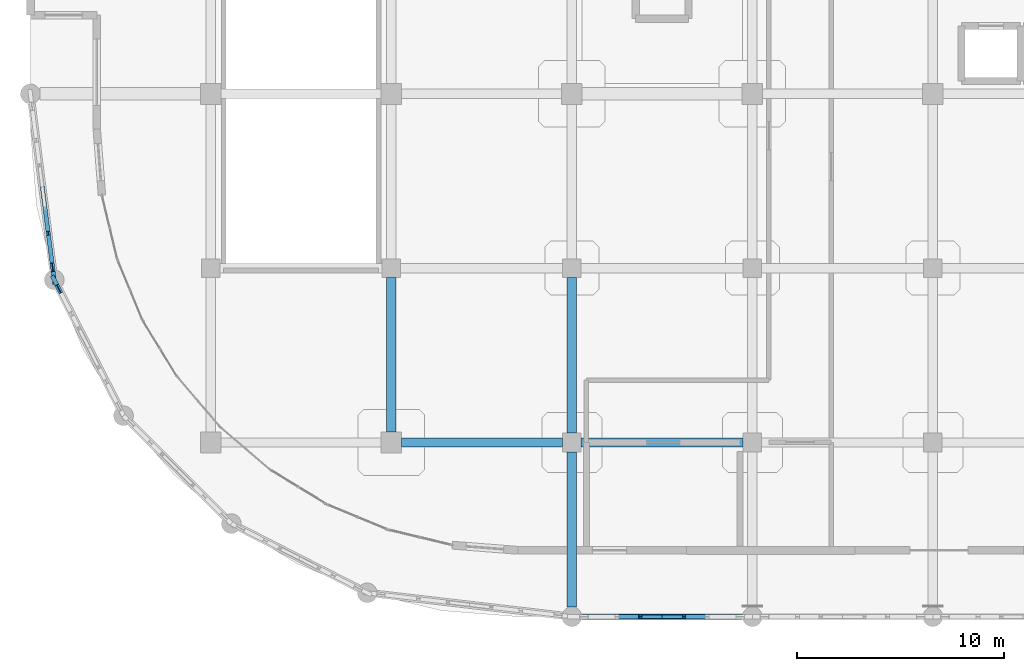
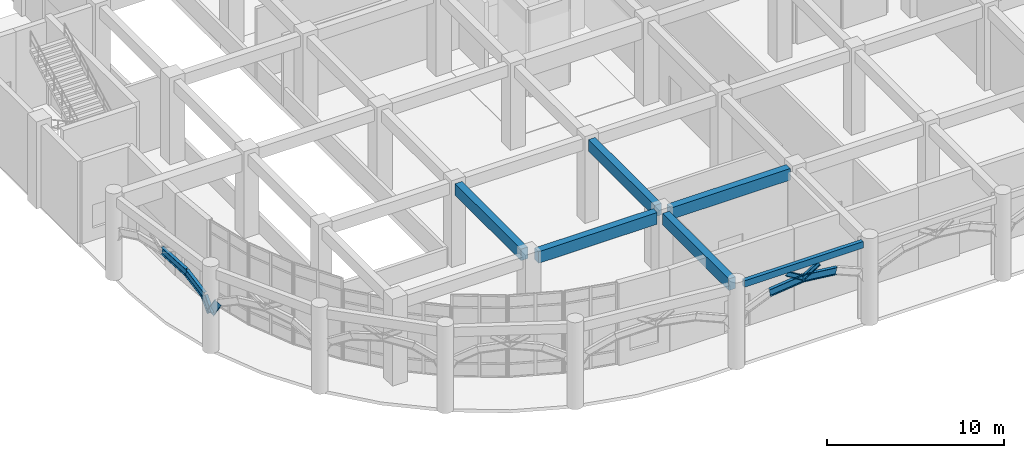
# One storey, part 6 of 82: 12 beams, 2 members.
"""IFC4 building model written with IfcOpenShell, lengths in metres."""

from ifc_helpers import new_model, si_unit, derived_unit, direction, frame, origin, origin_2d, place, context, subcontext, project, spatial, rectangle, i_section, extrude, material, material_profile, profile_set, type_object, element, save


model = new_model("IFC4")

# Units and contexts
model_context = context("Model", 3, precision=1e-05, world=origin(), true_north=direction((0.0, 1.0)))
body_context = subcontext(model_context, "Body", "Model", "MODEL_VIEW")
ifc_project = project(units=[si_unit("LENGTHUNIT", "METRE"), si_unit("AREAUNIT", "SQUARE_METRE"), si_unit("VOLUMEUNIT", "CUBIC_METRE"), si_unit("PLANEANGLEUNIT", "RADIAN"), si_unit("MASSUNIT", "GRAM", prefix="KILO"), derived_unit("THERMALTRANSMITTANCEUNIT", [(si_unit("MASSUNIT", "GRAM", prefix="KILO"), 1), (si_unit("TIMEUNIT", "SECOND"), -3), (si_unit("THERMODYNAMICTEMPERATUREUNIT", "KELVIN"), -1)])], contexts=[model_context])

# Site, building, storey
site_placement = place(None, origin())
site = spatial("IfcSite", under=ifc_project, at=site_placement, CompositionType="ELEMENT")
building_placement = place(site_placement, origin())
building = spatial("IfcBuilding", under=site, at=building_placement, Name="Qinzheling Arcade Emporium", CompositionType="ELEMENT")
storey_placement = place(building_placement, origin())
storey = spatial("IfcBuildingStorey", under=building, at=storey_placement, Name="L01", CompositionType="ELEMENT", Elevation=0.0)

# Beams
ifc_material_1 = material(Name="Weathering steel Q355NH", Category="steel")
ifc_material_profile_1 = material_profile(ifc_material_1, i_section(OverallWidth=0.199951171875, OverallDepth=0.5, WebThickness=0.010009765625, FlangeThickness=0.01611328125, FilletRadius=0.01806640625, at=origin_2d()), Name="HN 500x200x10x16", Category="steel")
ifc_profile_set_1 = profile_set([ifc_material_profile_1], Name="Weathering steel Q355NH")
beam_type_1 = type_object("IfcBeamType", Name="Arcade End Arch Rib HN500 Q355NH", PredefinedType="BEAM", material=ifc_profile_set_1)
beam_1_placement = place(storey_placement, frame((0.574951171875, 20.718994140625, 4.300048828125), z_axis=(0.126391991544, -0.986093981648, -0.107906088019), x_axis=(0.991885510227, 0.127134317169, 0.0)))
element("IfcBeam", 1, at=beam_1_placement, inside=storey, type_object=beam_type_1, Name="Curved Arcade Entrance Arch ARC-L01-CV1-B01-C04", PredefinedType="BEAM", context=body_context, shape_type="SweptSolid", body=[
    extrude(i_section(OverallWidth=0.199951171875, OverallDepth=0.5, WebThickness=0.010009765625, FlangeThickness=0.01611328125, FilletRadius=0.01806640625, at=origin_2d()), origin(), (0.0, 0.0, 1.0), 2.271484375),
])
beam_2_placement = place(storey_placement, frame((0.862060546875, 18.47900390625, 4.054931640625), z_axis=(0.118239066069, -0.919910882078, -0.373876306135), x_axis=(0.991840573507, 0.12748441766, 0.0)))
element("IfcBeam", 2, at=beam_2_placement, inside=storey, type_object=beam_type_1, Name="Curved Arcade Entrance Arch ARC-L01-CV1-B01-C05", PredefinedType="BEAM", context=body_context, shape_type="SweptSolid", body=[
    extrude(i_section(OverallWidth=0.199951171875, OverallDepth=0.5, WebThickness=0.010009765625, FlangeThickness=0.01611328125, FilletRadius=0.01806640625, at=origin_2d()), origin(), (0.0, 0.0, 1.0), 1.783935546875),
])
beam_3_placement = place(storey_placement, frame((1.072998046875, 16.837890625, 3.387939453125), z_axis=(0.070232420353, -0.54781287875, -0.833647681582), x_axis=(0.991881664686, 0.127164315985, 0.0)))
element("IfcBeam", 3, at=beam_3_placement, inside=storey, type_object=beam_type_1, Name="Curved Arcade Entrance Arch ARC-L01-CV1-B01-C06", PredefinedType="BEAM", context=body_context, shape_type="SweptSolid", body=[
    extrude(i_section(OverallWidth=0.199951171875, OverallDepth=0.5, WebThickness=0.010009765625, FlangeThickness=0.01611328125, FilletRadius=0.01806640625, at=origin_2d()), origin(), (0.0, 0.0, 1.0), 1.094970703125),
])
beam_4_placement = place(storey_placement, frame((1.14990234375, 16.238037109375, 2.47509765625), z_axis=(0.216040975421, -0.423139078222, 0.879931598149), x_axis=(0.890630875605, 0.454726998779, 0.0)))
element("IfcBeam", 4, at=beam_4_placement, inside=storey, type_object=beam_type_1, Name="Curved Arcade Entrance Arch ARC-L01-CV1-B02-C01", PredefinedType="BEAM", context=body_context, shape_type="SweptSolid", body=[
    extrude(i_section(OverallWidth=0.199951171875, OverallDepth=0.5, WebThickness=0.010009765625, FlangeThickness=0.01611328125, FilletRadius=0.01806640625, at=origin_2d()), origin(), (0.0, 0.0, 1.0), 1.037353515625),
])
for number, where, z_axis, x_axis, name in (
    (5, (28.27490234375, 0.0, 4.2548828125), (0.993709767638, 0.0, 0.111986149591), (0.0, 1.0, 0.0), "Street Entrance Arch ARC-L01-S01-C03"),
    (6, (30.449951171875, 0.0, 4.5), (0.993709767638, 0.0, -0.111986149591), (0.0, 1.0, 0.0), "Street Entrance Arch ARC-L01-S01-C04"),
):
    element("IfcBeam", number, at=place(storey_placement, frame(where, z_axis=z_axis, x_axis=x_axis)), inside=storey, type_object=beam_type_1, Name=name, PredefinedType="BEAM", context=body_context, shape_type="SweptSolid", body=[
        extrude(i_section(OverallWidth=0.199951171875, OverallDepth=0.5, WebThickness=0.010009765625, FlangeThickness=0.01611328125, FilletRadius=0.01806640625, at=origin_2d()), origin(), (0.0, 0.0, 1.0), 2.188720703125),
    ])

# Members
ifc_material_profile_2 = material_profile(ifc_material_1, i_section(OverallWidth=0.14990234375, OverallDepth=0.300048828125, WebThickness=0.006591796875, FlangeThickness=0.009033203125, FilletRadius=0.012939453125, at=origin_2d()), Name="HN 300x150x6.5x9", Category="steel")
ifc_profile_set_2 = profile_set([ifc_material_profile_2], Name="Weathering steel Q355NH")
member_type = type_object("IfcMemberType", Name="Arcade Spandrel Web Chord HN300 Q355NH", PredefinedType="CHORD", material=ifc_profile_set_2)
for number, where, z_axis, x_axis, name in (
    (7, (30.449951171875, 0.0, 4.510009765625), (-0.85393390348, 0.0, 0.520381483613), (0.0, -1.0, 0.0), "Street Spandrel Web Chord ASW-L01-S01-W1"),
    (8, (30.449951171875, 0.0, 4.510009765625), (0.85393390348, 0.0, 0.520381483613), (0.0, 1.0, 0.0), "Street Spandrel Web Chord ASW-L01-S01-W2"),
):
    element("IfcMember", number, at=place(storey_placement, frame(where, z_axis=z_axis, x_axis=x_axis)), inside=storey, type_object=member_type, Name=name, PredefinedType="CHORD", context=body_context, shape_type="SweptSolid", body=[
        extrude(i_section(OverallWidth=0.14990234375, OverallDepth=0.300048828125, WebThickness=0.006591796875, FlangeThickness=0.009033203125, FilletRadius=0.012939453125, at=origin_2d()), origin(), (0.0, 0.0, 1.0), 1.229736328125),
    ])

# Beams
ifc_material_2 = material(Name="Concrete C40", Category="concrete")
ifc_material_profile_3 = material_profile(ifc_material_2, rectangle(XDim=0.25, YDim=0.449951171875, at=origin_2d()), Name="RC 250x450", Category="concrete")
ifc_profile_set_3 = profile_set([ifc_material_profile_3], Name="Concrete C40")
beam_type_2 = type_object("IfcBeamType", Name="RC Opening Lintel Beam 250x450 C40", PredefinedType="LINTEL", material=ifc_profile_set_3)
beam_5_placement = place(storey_placement, frame((26.574951171875, 0.0, 5.4951171875), z_axis=(1.0, 0.0, 0.0), x_axis=(0.0, 1.0, 0.0)))
element("IfcBeam", 9, at=beam_5_placement, inside=storey, type_object=beam_type_2, Name="Beam BM-L01-X-A-4", PredefinedType="LINTEL", context=body_context, shape_type="SweptSolid", body=[
    extrude(rectangle(XDim=0.25, YDim=0.449951171875, at=origin_2d()), origin(), (0.0, 0.0, 1.0), 7.75),
])
ifc_material_profile_4 = material_profile(ifc_material_2, rectangle(XDim=0.449951171875, YDim=0.800048828125, at=origin_2d()), Name="RC 450x800", Category="concrete")
ifc_profile_set_4 = profile_set([ifc_material_profile_4], Name="Concrete C40")
beam_type_3 = type_object("IfcBeamType", Name="RC Primary Frame Beam 450x800 C40", PredefinedType="BEAM", material=ifc_profile_set_4)
beam_6_placement = place(storey_placement, frame((17.89990234375, 8.39990234375, 5.320068359375), z_axis=(1.0, 0.0, 0.0), x_axis=(0.0, 1.0, 0.0)))
element("IfcBeam", 10, at=beam_6_placement, inside=storey, type_object=beam_type_3, Name="Beam BM-L01-X-B-3", PredefinedType="BEAM", context=body_context, shape_type="SweptSolid", body=[
    extrude(rectangle(XDim=0.449951171875, YDim=0.800048828125, at=origin_2d()), origin(), (0.0, 0.0, 1.0), 7.75),
])
beam_7_placement = place(storey_placement, frame((26.550048828125, 8.39990234375, 5.320068359375), z_axis=(1.0, 0.0, 0.0), x_axis=(0.0, 1.0, 0.0)))
element("IfcBeam", 11, at=beam_7_placement, inside=storey, type_object=beam_type_3, Name="Beam BM-L01-X-B-4", PredefinedType="BEAM", context=body_context, shape_type="SweptSolid", body=[
    extrude(rectangle(XDim=0.449951171875, YDim=0.800048828125, at=origin_2d()), origin(), (0.0, 0.0, 1.0), 7.800048828125),
])
beam_8_placement = place(storey_placement, frame((17.39990234375, 8.89990234375, 5.320068359375), z_axis=(0.0, 1.0, 0.0), x_axis=(-1.0, 0.0, 0.0)))
element("IfcBeam", 12, at=beam_8_placement, inside=storey, type_object=beam_type_3, Name="Beam BM-L01-Y-3-B", PredefinedType="BEAM", context=body_context, shape_type="SweptSolid", body=[
    extrude(rectangle(XDim=0.449951171875, YDim=0.800048828125, at=origin_2d()), origin(), (0.0, 0.0, 1.0), 7.4501953125),
])
beam_9_placement = place(storey_placement, frame((26.10009765625, 0.47509765625, 5.320068359375), z_axis=(0.0, 1.0, 0.0), x_axis=(-1.0, 0.0, 0.0)))
element("IfcBeam", 13, at=beam_9_placement, inside=storey, type_object=beam_type_3, Name="Beam BM-L01-Y-4-A", PredefinedType="BEAM", context=body_context, shape_type="SweptSolid", body=[
    extrude(rectangle(XDim=0.449951171875, YDim=0.800048828125, at=origin_2d()), origin(), (0.0, 0.0, 1.0), 7.474853515625),
])
beam_10_placement = place(storey_placement, frame((26.10009765625, 8.85009765625, 5.320068359375), z_axis=(0.0, 1.0, 0.0), x_axis=(-1.0, 0.0, 0.0)))
element("IfcBeam", 14, at=beam_10_placement, inside=storey, type_object=beam_type_3, Name="Beam BM-L01-Y-4-B", PredefinedType="BEAM", context=body_context, shape_type="SweptSolid", body=[
    extrude(rectangle(XDim=0.449951171875, YDim=0.800048828125, at=origin_2d()), origin(), (0.0, 0.0, 1.0), 7.5),
])

save(model, "model.ifc")
